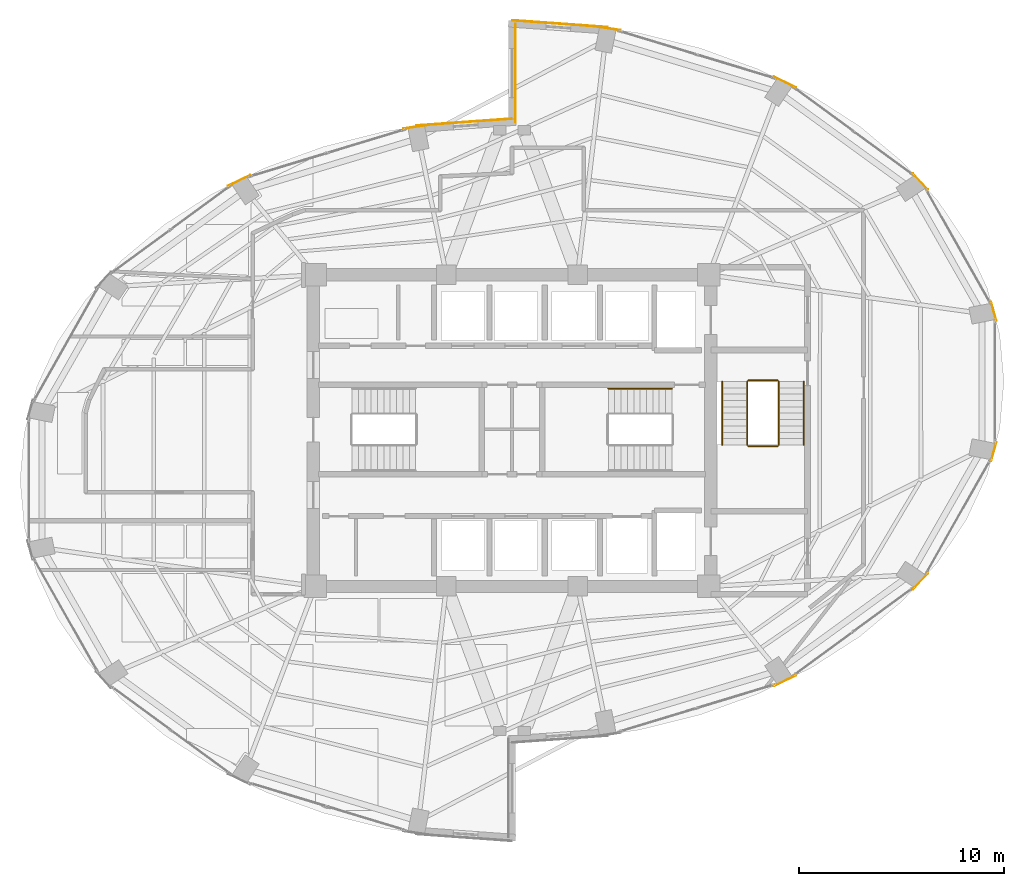
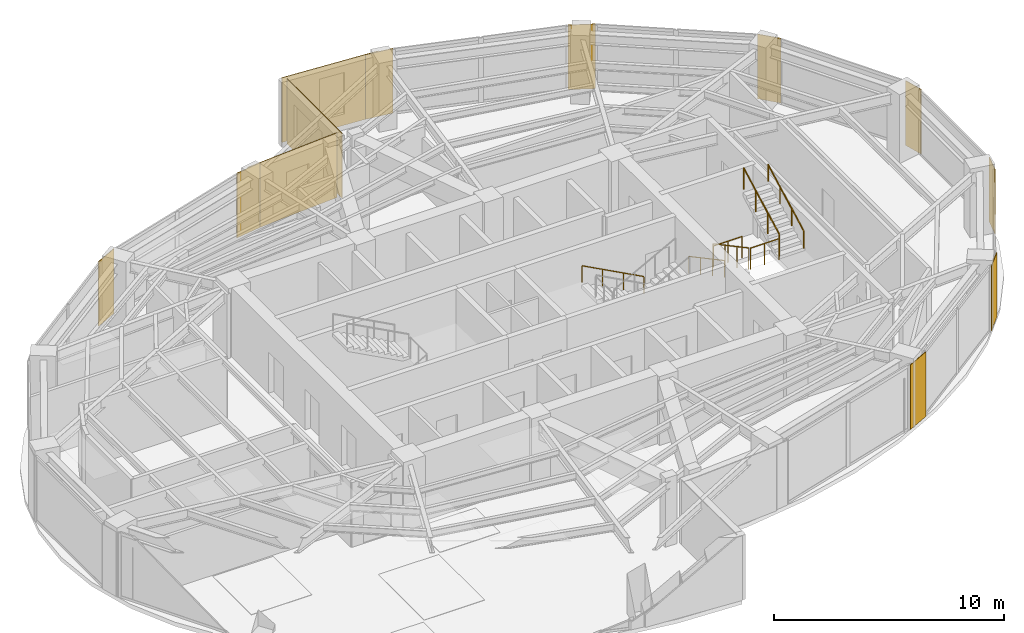
# One storey, part 20 of 20: 12 coverings, 7 railings.
"""IFC4 building model written with IfcOpenShell, lengths in metres."""

from ifc_helpers import new_model, si_unit, direction, frame, origin, origin_2d, place, context, subcontext, project, spatial, rectangle, circle, extrude, material, layer, layer_set, type_object, element, save


model = new_model("IFC4")

# Units and contexts
model_context = context("Model", 3, precision=1e-05, world=origin(), true_north=direction((0.0, 1.0)))
body_context = subcontext(model_context, "Body", "Model", "MODEL_VIEW")
ifc_project = project(units=[si_unit("LENGTHUNIT", "METRE"), si_unit("AREAUNIT", "SQUARE_METRE"), si_unit("VOLUMEUNIT", "CUBIC_METRE"), si_unit("PLANEANGLEUNIT", "RADIAN"), si_unit("MASSUNIT", "GRAM", prefix="KILO")], contexts=[model_context])

# Site, building, storey
site_placement = place(None, origin())
site = spatial("IfcSite", under=ifc_project, at=site_placement, CompositionType="ELEMENT")
building_placement = place(site_placement, origin())
building = spatial("IfcBuilding", under=site, at=building_placement, Name="Lazwardi Medical Tower", CompositionType="ELEMENT")
storey_placement = place(building_placement, frame((0.0, 0.0, 182.06396484375)))
storey = spatial("IfcBuildingStorey", under=building, at=storey_placement, Name="L47", CompositionType="ELEMENT", Elevation=182.06396484375)

# Coverings
ifc_material_1 = material(Name="Anodised bronze aluminium cassette cladding", Category="aluminium")
ifc_layer_1 = layer(ifc_material_1, 0.030029296875)
ifc_layer_set_1 = layer_set([ifc_layer_1], Name="Anodised bronze aluminium cassette cladding")
covering_type_1 = type_object("IfcCoveringType", Name="COV-CLD-BRZ", PredefinedType="CLADDING", material=ifc_layer_set_1)
covering_1_placement = place(storey_placement, frame((49.31103515625, 15.798095703125, 0.0), z_axis=(0.0, 0.0, 1.0), x_axis=(0.898079014814, 0.439834154144, 0.0)))
element("IfcCovering", 1, at=covering_1_placement, inside=storey, type_object=covering_type_1, Name="L47 Mega-column bronze cassette cover M02", PredefinedType="CLADDING", context=body_context, shape_type="SweptSolid", body=[
    extrude(rectangle(XDim=1.200439453125, YDim=0.030029296875, at=origin_2d()), origin(), (0.0, 0.0, 1.0), 3.427978515625),
])
covering_2_placement = place(storey_placement, frame((55.92138671875, 20.643310546875, 0.0), z_axis=(0.0, 0.0, 1.0), x_axis=(0.673714459537, 0.738991763832, 0.0)))
element("IfcCovering", 2, at=covering_2_placement, inside=storey, type_object=covering_type_1, Name="L47 Mega-column bronze cassette cover M03", PredefinedType="CLADDING", context=body_context, shape_type="SweptSolid", body=[
    extrude(rectangle(XDim=1.0693359375, YDim=0.030029296875, at=origin_2d()), origin(), (0.0, 0.0, 1.0), 3.427978515625),
])
for number, where, z_axis, x_axis, name in (
    (3, (59.498779296875, 26.973876953125, 0.0), (0.0, 0.0, 1.0), (0.261828726257, 0.965114354938, 0.0), "L47 Mega-column bronze cassette cover M04"),
    (4, (59.498779296875, 33.826171875, 0.0), (0.0, 0.0, 1.0), (-0.261828726257, 0.965114354938, 0.0), "L47 Mega-column bronze cassette cover M05"),
):
    element("IfcCovering", number, at=place(storey_placement, frame(where, z_axis=z_axis, x_axis=x_axis)), inside=storey, type_object=covering_type_1, Name=name, PredefinedType="CLADDING", context=body_context, shape_type="SweptSolid", body=[
        extrude(rectangle(XDim=0.9658203125, YDim=0.030029296875, at=origin_2d()), origin(), (0.0, 0.0, 1.0), 3.427978515625),
    ])
covering_3_placement = place(storey_placement, frame((55.92138671875, 40.15673828125, 0.0), z_axis=(0.0, 0.0, 1.0), x_axis=(-0.673714459537, 0.738991763832, 0.0)))
element("IfcCovering", 5, at=covering_3_placement, inside=storey, type_object=covering_type_1, Name="L47 Mega-column bronze cassette cover M06", PredefinedType="CLADDING", context=body_context, shape_type="SweptSolid", body=[
    extrude(rectangle(XDim=1.0693359375, YDim=0.030029296875, at=origin_2d()), origin(), (0.0, 0.0, 1.0), 3.427978515625),
])
covering_4_placement = place(storey_placement, frame((49.31103515625, 45.001953125, 0.0), z_axis=(0.0, 0.0, 1.0), x_axis=(-0.898079014814, 0.439834154144, 0.0)))
element("IfcCovering", 6, at=covering_4_placement, inside=storey, type_object=covering_type_1, Name="L47 Mega-column bronze cassette cover M07", PredefinedType="CLADDING", context=body_context, shape_type="SweptSolid", body=[
    extrude(rectangle(XDim=1.200439453125, YDim=0.030029296875, at=origin_2d()), origin(), (0.0, 0.0, 1.0), 3.427978515625),
])
for number, where, z_axis, x_axis, name in (
    (7, (40.67431640625, 47.6240234375, 0.0), (0.0, 0.0, 1.0), (-0.989539138138, 0.144264666823, 0.0), "L47 Mega-column bronze cassette cover M08"),
    (8, (31.32568359375, 42.82421875, 0.0), (0.0, 0.0, 1.0), (-0.989539138138, -0.144264666823, 0.0), "L47 Mega-column bronze cassette cover M09"),
):
    element("IfcCovering", number, at=place(storey_placement, frame(where, z_axis=z_axis, x_axis=x_axis)), inside=storey, type_object=covering_type_1, Name=name, PredefinedType="CLADDING", context=body_context, shape_type="SweptSolid", body=[
        extrude(rectangle(XDim=1.28515625, YDim=0.030029296875, at=origin_2d()), origin(), (0.0, 0.0, 1.0), 3.427978515625),
    ])
covering_5_placement = place(storey_placement, frame((22.68896484375, 40.201904296875, 0.0), z_axis=(0.0, 0.0, 1.0), x_axis=(-0.898079014814, -0.439834154144, 0.0)))
element("IfcCovering", 9, at=covering_5_placement, inside=storey, type_object=covering_type_1, Name="L47 Mega-column bronze cassette cover M10", PredefinedType="CLADDING", context=body_context, shape_type="SweptSolid", body=[
    extrude(rectangle(XDim=1.200439453125, YDim=0.030029296875, at=origin_2d()), origin(), (0.0, 0.0, 1.0), 3.427978515625),
])
ifc_material_2 = material(Name="Turquoise glazed ceramic tilework cladding", Category="masonry")
ifc_layer_2 = layer(ifc_material_2, 0.034912109375)
ifc_layer_set_2 = layer_set([ifc_layer_2], Name="Turquoise glazed ceramic tilework cladding")
covering_type_2 = type_object("IfcCoveringType", Name="COV-CLD-TRQ", PredefinedType="CLADDING", material=ifc_layer_set_2)
covering_6_placement = place(storey_placement, frame((38.338134765625, 47.847412109375, 0.0), z_axis=(0.0, 0.0, 1.0), x_axis=(-0.997414510753, 0.071863020663, 0.0)))
element("IfcCovering", 10, at=covering_6_placement, inside=storey, type_object=covering_type_2, Name="L47 Turquoise glazed ceramic tilework cladding", PredefinedType="CLADDING", context=body_context, shape_type="SweptSolid", body=[
    extrude(rectangle(XDim=4.6630859375, YDim=0.034912109375, at=origin_2d()), origin(), (0.0, 0.0, 1.0), 3.427978515625),
])
covering_7_placement = place(storey_placement, frame((33.66162109375, 43.047607421875, 0.0), z_axis=(0.0, 0.0, 1.0), x_axis=(-0.997414134466, -0.071868243112, 0.0)))
element("IfcCovering", 11, at=covering_7_placement, inside=storey, type_object=covering_type_2, Name="L47 Turquoise glazed ceramic tilework cladding", PredefinedType="CLADDING", context=body_context, shape_type="SweptSolid", body=[
    extrude(rectangle(XDim=4.66259765625, YDim=0.034912109375, at=origin_2d()), origin(), (0.0, 0.0, 1.0), 3.427978515625),
])
covering_8_placement = place(storey_placement, frame((36.175537109375, 45.43994140625, 0.0), z_axis=(0.0, 0.0, 1.0), x_axis=(0.0, -1.0, 0.0)))
element("IfcCovering", 12, at=covering_8_placement, inside=storey, type_object=covering_type_2, Name="L47 Turquoise glazed ceramic tilework iwan panel", PredefinedType="CLADDING", context=body_context, shape_type="SweptSolid", body=[
    extrude(rectangle(XDim=4.800048828125, YDim=0.034912109375, at=origin_2d()), origin(), (0.0, 0.0, 1.0), 3.427978515625),
])

# Railings
ifc_material_3 = material(Name="Stainless steel Grade 316", Category="steel")
railing_type_1 = type_object("IfcRailingType", Name="RLG-GRD-1150", PredefinedType="GUARDRAIL", material=ifc_material_3)
railing_1_placement = place(storey_placement, frame((47.469970703125, 30.39990234375, 0.165771484375)))
element("IfcRailing", 13, at=railing_1_placement, inside=storey, type_object=railing_type_1, Name="L47 ST3 stair guard 1", PredefinedType="GUARDRAIL", context=body_context, shape_type="SweptSolid", body=[
    extrude(circle(Radius=0.02392578125, at=origin_2d()), frame((0.0, 0.0, 1.1259765625), z_axis=(0.0, -0.881767849116, 0.471683644262), x_axis=(1.0, 0.0, 0.0)), (0.0, 0.0, 1.0), 3.515380859375),
    extrude(circle(Radius=0.02099609375, at=origin_2d()), origin(), (0.0, 0.0, 1.0), 1.099853515625),
    extrude(circle(Radius=0.02099609375, at=origin_2d()), frame((0.0, -1.033203125, 0.552734375)), (0.0, 0.0, 1.0), 1.099853515625),
    extrude(circle(Radius=0.02099609375, at=origin_2d()), frame((0.0, -2.066650390625, 1.10546875)), (0.0, 0.0, 1.0), 1.099853515625),
    extrude(circle(Radius=0.02099609375, at=origin_2d()), frame((0.0, -3.099853515625, 1.658203125)), (0.0, 0.0, 1.0), 1.099853515625),
])
railing_2_placement = place(storey_placement, frame((47.52001953125, 27.25, 1.823974609375)))
element("IfcRailing", 14, at=railing_2_placement, inside=storey, type_object=railing_type_1, Name="L47 ST3 stair guard 2", PredefinedType="GUARDRAIL", context=body_context, shape_type="SweptSolid", body=[
    extrude(circle(Radius=0.02392578125, at=origin_2d()), frame((0.0, 0.0, 1.1259765625), z_axis=(1.0, 0.0, 0.0), x_axis=(0.0, 1.0, 0.0)), (0.0, 0.0, 1.0), 1.43994140625),
    extrude(circle(Radius=0.02099609375, at=origin_2d()), origin(), (0.0, 0.0, 1.0), 1.099853515625),
    extrude(circle(Radius=0.02099609375, at=origin_2d()), frame((0.719970703125, 0.0, 0.0)), (0.0, 0.0, 1.0), 1.099853515625),
    extrude(circle(Radius=0.02099609375, at=origin_2d()), frame((1.43994140625, 0.0, 0.0)), (0.0, 0.0, 1.0), 1.099853515625),
])
railing_3_placement = place(storey_placement, frame((49.010009765625, 27.300048828125, 1.98974609375)))
element("IfcRailing", 15, at=railing_3_placement, inside=storey, type_object=railing_type_1, Name="L47 ST3 stair guard 3", PredefinedType="GUARDRAIL", context=body_context, shape_type="SweptSolid", body=[
    extrude(circle(Radius=0.02392578125, at=origin_2d()), frame((0.0, 0.0, 1.1259765625), z_axis=(0.0, 0.881767849116, 0.471683644262), x_axis=(-1.0, 0.0, 0.0)), (0.0, 0.0, 1.0), 3.515380859375),
    extrude(circle(Radius=0.02099609375, at=origin_2d()), origin(), (0.0, 0.0, 1.0), 1.099853515625),
    extrude(circle(Radius=0.02099609375, at=origin_2d()), frame((0.0, 1.033203125, 0.552734375)), (0.0, 0.0, 1.0), 1.099853515625),
    extrude(circle(Radius=0.02099609375, at=origin_2d()), frame((0.0, 2.066650390625, 1.10546875)), (0.0, 0.0, 1.0), 1.099853515625),
    extrude(circle(Radius=0.02099609375, at=origin_2d()), frame((0.0, 3.099853515625, 1.658203125)), (0.0, 0.0, 1.0), 1.099853515625),
])
railing_4_placement = place(storey_placement, frame((47.52001953125, 30.449951171875, 0.0)))
element("IfcRailing", 16, at=railing_4_placement, inside=storey, type_object=railing_type_1, Name="L47 ST3 stair guard 4", PredefinedType="GUARDRAIL", context=body_context, shape_type="SweptSolid", body=[
    extrude(circle(Radius=0.02392578125, at=origin_2d()), frame((0.0, 0.0, 1.1259765625), z_axis=(1.0, 0.0, 0.0), x_axis=(0.0, 1.0, 0.0)), (0.0, 0.0, 1.0), 1.43994140625),
    extrude(circle(Radius=0.02099609375, at=origin_2d()), origin(), (0.0, 0.0, 1.0), 1.099853515625),
    extrude(circle(Radius=0.02099609375, at=origin_2d()), frame((0.719970703125, 0.0, 0.0)), (0.0, 0.0, 1.0), 1.099853515625),
    extrude(circle(Radius=0.02099609375, at=origin_2d()), frame((1.43994140625, 0.0, 0.0)), (0.0, 0.0, 1.0), 1.099853515625),
])
railing_type_2 = type_object("IfcRailingType", Name="RLG-HND-920", PredefinedType="HANDRAIL", material=ifc_material_3)
railing_5_placement = place(storey_placement, frame((43.800048828125, 30.050048828125, 0.165771484375)))
element("IfcRailing", 17, at=railing_5_placement, inside=storey, type_object=railing_type_2, Name="L47 ST2 stair handrail 1", PredefinedType="HANDRAIL", context=body_context, shape_type="SweptSolid", body=[
    extrude(circle(Radius=0.02392578125, at=origin_2d()), frame((0.0, 0.0, 0.8857421875), z_axis=(-0.881783298633, 0.0, 0.471654761719), x_axis=(0.0, -1.0, 0.0)), (0.0, 0.0, 1.0), 3.515625),
    extrude(circle(Radius=0.02099609375, at=origin_2d()), origin(), (0.0, 0.0, 1.0), 0.85986328125),
    extrude(circle(Radius=0.02099609375, at=origin_2d()), frame((-1.033447265625, 0.0, 0.552734375)), (0.0, 0.0, 1.0), 0.85986328125),
    extrude(circle(Radius=0.02099609375, at=origin_2d()), frame((-2.066650390625, 0.0, 1.10546875)), (0.0, 0.0, 1.0), 0.85986328125),
    extrude(circle(Radius=0.02099609375, at=origin_2d()), frame((-3.10009765625, 0.0, 1.658203125)), (0.0, 0.0, 1.0), 0.85986328125),
])
railing_6_placement = place(storey_placement, frame((46.25, 30.39990234375, 0.165771484375)))
element("IfcRailing", 18, at=railing_6_placement, inside=storey, type_object=railing_type_2, Name="L47 ST3 stair handrail 1", PredefinedType="HANDRAIL", context=body_context, shape_type="SweptSolid", body=[
    extrude(circle(Radius=0.02392578125, at=origin_2d()), frame((0.0, 0.0, 0.8857421875), z_axis=(0.0, -0.881767849116, 0.471683644262), x_axis=(1.0, 0.0, 0.0)), (0.0, 0.0, 1.0), 3.515380859375),
    extrude(circle(Radius=0.02099609375, at=origin_2d()), origin(), (0.0, 0.0, 1.0), 0.85986328125),
    extrude(circle(Radius=0.02099609375, at=origin_2d()), frame((0.0, -1.033203125, 0.552734375)), (0.0, 0.0, 1.0), 0.85986328125),
    extrude(circle(Radius=0.02099609375, at=origin_2d()), frame((0.0, -2.066650390625, 1.10546875)), (0.0, 0.0, 1.0), 0.85986328125),
    extrude(circle(Radius=0.02099609375, at=origin_2d()), frame((0.0, -3.099853515625, 1.658203125)), (0.0, 0.0, 1.0), 0.85986328125),
])
railing_7_placement = place(storey_placement, frame((50.22998046875, 27.300048828125, 1.98974609375)))
element("IfcRailing", 19, at=railing_7_placement, inside=storey, type_object=railing_type_2, Name="L47 ST3 stair handrail 2", PredefinedType="HANDRAIL", context=body_context, shape_type="SweptSolid", body=[
    extrude(circle(Radius=0.02392578125, at=origin_2d()), frame((0.0, 0.0, 0.8857421875), z_axis=(0.0, 0.881767849116, 0.471683644262), x_axis=(-1.0, 0.0, 0.0)), (0.0, 0.0, 1.0), 3.515380859375),
    extrude(circle(Radius=0.02099609375, at=origin_2d()), origin(), (0.0, 0.0, 1.0), 0.85986328125),
    extrude(circle(Radius=0.02099609375, at=origin_2d()), frame((0.0, 1.033203125, 0.552734375)), (0.0, 0.0, 1.0), 0.85986328125),
    extrude(circle(Radius=0.02099609375, at=origin_2d()), frame((0.0, 2.066650390625, 1.10546875)), (0.0, 0.0, 1.0), 0.85986328125),
    extrude(circle(Radius=0.02099609375, at=origin_2d()), frame((0.0, 3.099853515625, 1.658203125)), (0.0, 0.0, 1.0), 0.85986328125),
])

save(model, "model.ifc")
